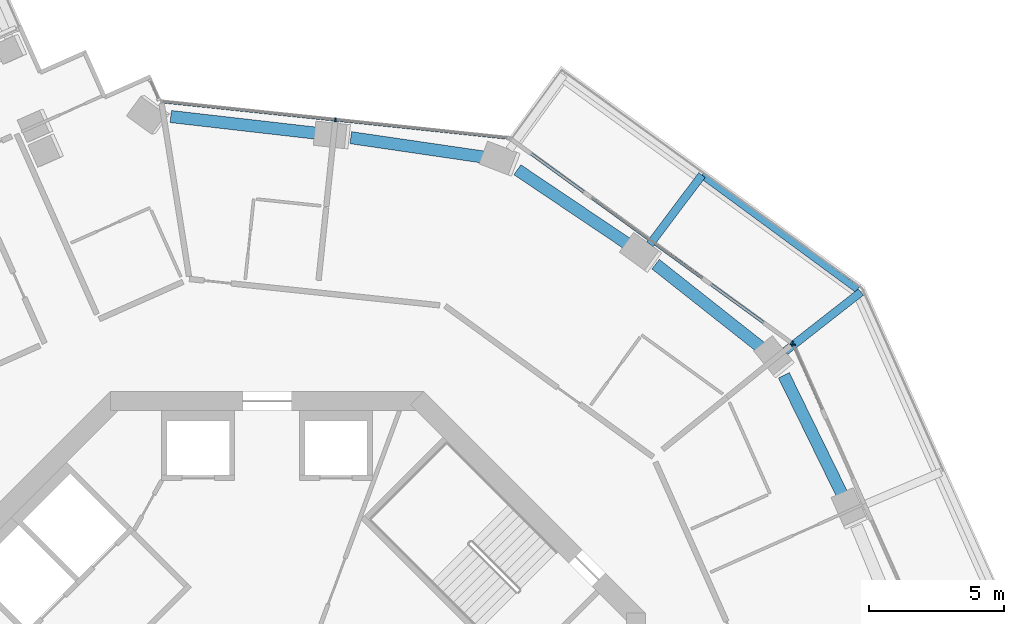
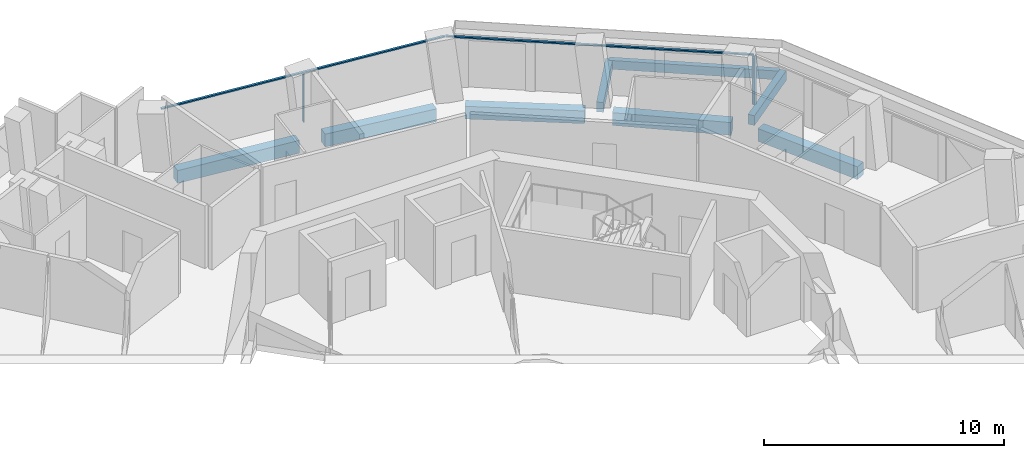
# One storey, part 8 of 23: 8 beams, 5 members, 3 elements without a shape of their own.
"""IFC4 building model written with IfcOpenShell, lengths in metres."""

from ifc_helpers import new_model, si_unit, direction, frame, origin, origin_2d, place, context, subcontext, project, spatial, rectangle, extrude, material, layer, layer_set, material_profile, profile_set, type_object, element, aggregate, save


model = new_model("IFC4")

# Units and contexts
model_context = context("Model", 3, precision=1e-05, world=origin(), true_north=direction((0.0, 1.0)))
body_context = subcontext(model_context, "Body", "Model", "MODEL_VIEW")
ifc_project = project(units=[si_unit("LENGTHUNIT", "METRE"), si_unit("AREAUNIT", "SQUARE_METRE"), si_unit("VOLUMEUNIT", "CUBIC_METRE"), si_unit("PLANEANGLEUNIT", "RADIAN"), si_unit("MASSUNIT", "GRAM", prefix="KILO")], contexts=[model_context])

# Site, building, storey
site_placement = place(None, origin())
site = spatial("IfcSite", under=ifc_project, at=site_placement, CompositionType="ELEMENT")
building_placement = place(site_placement, origin())
building = spatial("IfcBuilding", under=site, at=building_placement, Name="Verdalira Terraces Hotel", CompositionType="ELEMENT")
storey_placement = place(building_placement, frame((0.0, 0.0, 133.0)))
storey = spatial("IfcBuildingStorey", under=building, at=storey_placement, Name="L31", CompositionType="ELEMENT", Elevation=133.0)

# Beams
ifc_material_1 = material(Name="Concrete C40", Category="concrete")
ifc_material_profile_1 = material_profile(ifc_material_1, rectangle(XDim=0.300049, YDim=0.5, at=origin_2d()), Name="RC 300X500")
ifc_profile_set_1 = profile_set([ifc_material_profile_1], Name="Concrete C40")
beam_type_1 = type_object("IfcBeamType", Name="Balcony cantilever beam RC 300X500 C40", PredefinedType="BEAM", material=ifc_profile_set_1)
beam_1_placement = place(storey_placement, frame((19.171387, 15.482666, -0.560059), z_axis=(0.787568683, 0.616226881, 0.0), x_axis=(-0.616226881, 0.787568683, 0.0)))
element("IfcBeam", 1, at=beam_1_placement, inside=storey, type_object=beam_type_1, Name="Balcony cantilever beam R39-3", PredefinedType="BEAM", context=body_context, shape_type="SweptSolid", body=[
    extrude(rectangle(XDim=0.300049, YDim=0.5, at=origin_2d()), origin(), (0.0, 0.0, 1.0), 3.559326),
])
beam_2_placement = place(storey_placement, frame((14.166992, 19.44458, -0.560059), z_axis=(0.601219743, 0.799083738, 0.0), x_axis=(-0.799083738, 0.601219743, 0.0)))
element("IfcBeam", 2, at=beam_2_placement, inside=storey, type_object=beam_type_1, Name="Balcony cantilever beam R39-4", PredefinedType="BEAM", context=body_context, shape_type="SweptSolid", body=[
    extrude(rectangle(XDim=0.300049, YDim=0.5, at=origin_2d()), origin(), (0.0, 0.0, 1.0), 3.200684),
])
ifc_material_2 = material(Name="Concrete C40", Category="concrete")
ifc_material_profile_2 = material_profile(ifc_material_2, rectangle(XDim=0.25, YDim=0.449951, at=origin_2d()), Name="RC 250X450")
ifc_profile_set_2 = profile_set([ifc_material_profile_2], Name="Concrete C40")
beam_type_2 = type_object("IfcBeamType", Name="Balcony edge beam RC 250X450 C40", PredefinedType="BEAM", material=ifc_profile_set_2)
beam_3_placement = place(storey_placement, frame((21.849121, 17.768311, -0.534912), z_axis=(-0.805637586, 0.59240871, 0.0), x_axis=(-0.59240871, -0.805637586, 0.0)))
element("IfcBeam", 3, at=beam_3_placement, inside=storey, type_object=beam_type_2, Name="Balcony edge beam R39-3", PredefinedType="BEAM", context=body_context, shape_type="SweptSolid", body=[
    extrude(rectangle(XDim=0.25, YDim=0.449951, at=origin_2d()), origin(), (0.0, 0.0, 1.0), 7.146973),
])

# Curtain wall, member
ifc_material_3 = material(Name="Clear glass", Category="glass")
ifc_layer = layer(ifc_material_3, 0.14990234375)
ifc_layer_set = layer_set([ifc_layer], Name="CW1 curtain wall")
curtain_wall_type = type_object("IfcCurtainWallType", Name="CW1 curtain wall", PredefinedType="NOTDEFINED", material=ifc_layer_set)
curtain_wall_1_placement = place(storey_placement, origin())
curtain_wall_1 = element("IfcCurtainWall", 4, at=curtain_wall_1_placement, inside=storey, type_object=curtain_wall_type, Name="CW1 curtain wall L31 edge 39", PredefinedType="NOTDEFINED")
ifc_material_4 = material(Name="Terracotta frame", Category="masonry")
ifc_material_profile_3 = material_profile(ifc_material_4, rectangle(XDim=0.060059, YDim=0.149902, at=origin_2d()), Name="MU 60x150")
ifc_profile_set_3 = profile_set([ifc_material_profile_3], Name="Terracotta frame")
member_type_1 = type_object("IfcMemberType", Name="CW1 mullion 60x150", PredefinedType="MULLION", material=ifc_profile_set_3)
member_1_placement = place(storey_placement, frame((19.477295, 15.710205, 0.0), z_axis=(0.0, 0.0, 1.0), x_axis=(-0.406736643, 0.913545458, 0.0)))
member_1 = element("IfcMember", 5, at=member_1_placement, type_object=member_type_1, Name="CW1 mullion", PredefinedType="MULLION", context=body_context, shape_type="SweptSolid", body=[
    extrude(rectangle(XDim=0.060059, YDim=0.149902, at=origin_2d()), origin(), (0.0, 0.0, 1.0), 2.475098),
])
aggregate(curtain_wall_1, [member_1])

curtain_wall_2_placement = place(storey_placement, origin())
curtain_wall_2 = element("IfcCurtainWall", 6, at=curtain_wall_2_placement, inside=storey, type_object=curtain_wall_type, Name="CW1 curtain wall L31 edge 40", PredefinedType="NOTDEFINED")
member_2_placement = place(storey_placement, frame((19.416504, 15.7854, 0.0), z_axis=(0.0, 0.0, 1.0), x_axis=(-0.809016994, 0.587785252, 0.0)))
member_2 = element("IfcMember", 7, at=member_2_placement, type_object=member_type_1, Name="CW1 mullion", PredefinedType="MULLION", context=body_context, shape_type="SweptSolid", body=[
    extrude(rectangle(XDim=0.060059, YDim=0.149902, at=origin_2d()), origin(), (0.0, 0.0, 1.0), 2.475098),
])

curtain_wall_3_placement = place(storey_placement, origin())
curtain_wall_3 = element("IfcCurtainWall", 8, at=curtain_wall_3_placement, inside=storey, type_object=curtain_wall_type, Name="CW1 curtain wall L31 edge 41", PredefinedType="NOTDEFINED")
member_3_placement = place(storey_placement, frame((2.527832, 24.050781, 0.0), z_axis=(0.0, 0.0, 1.0), x_axis=(-0.994521895, 0.104528463, 0.0)))
member_3 = element("IfcMember", 9, at=member_3_placement, type_object=member_type_1, Name="CW1 mullion", PredefinedType="MULLION", context=body_context, shape_type="SweptSolid", body=[
    extrude(rectangle(XDim=0.060059, YDim=0.149902, at=origin_2d()), origin(), (0.0, 0.0, 1.0), 2.475098),
])

# Member
ifc_material_5 = material(Name="Terracotta frame", Category="masonry")
ifc_material_profile_4 = material_profile(ifc_material_5, rectangle(XDim=0.110107, YDim=0.064941, at=origin_2d()), Name="TR 65x110")
ifc_profile_set_4 = profile_set([ifc_material_profile_4], Name="Terracotta frame")
member_type_2 = type_object("IfcMemberType", Name="CW1 transom 65x110", PredefinedType="USERDEFINED", material=ifc_profile_set_4)
member_4_placement = place(storey_placement, frame((19.440674, 15.767822, 2.507568), z_axis=(-0.809014646, 0.587788484, 0.0), x_axis=(-0.587788484, -0.809014646, 0.0)))
member_4 = element("IfcMember", 10, at=member_4_placement, type_object=member_type_2, Name="CW1 transom", ObjectType="TRANSOM", PredefinedType="USERDEFINED", context=body_context, shape_type="SweptSolid", body=[
    extrude(rectangle(XDim=0.110107, YDim=0.064941, at=origin_2d()), origin(), (0.0, 0.0, 1.0), 12.919678),
])

aggregate(curtain_wall_2, [member_2, member_4])

member_5_placement = place(storey_placement, frame((8.952148, 23.375732, 2.507568), z_axis=(-0.994523193, 0.104516114, 0.0), x_axis=(-0.104516114, -0.994523193, 0.0)))
member_5 = element("IfcMember", 11, at=member_5_placement, type_object=member_type_2, Name="CW1 transom", ObjectType="TRANSOM", PredefinedType="USERDEFINED", context=body_context, shape_type="SweptSolid", body=[
    extrude(rectangle(XDim=0.110107, YDim=0.064941, at=origin_2d()), origin(), (0.0, 0.0, 1.0), 12.959717),
])

aggregate(curtain_wall_3, [member_3, member_5])

# Beams
ifc_material_6 = material(Name="Concrete C50", Category="concrete")
ifc_material_profile_5 = material_profile(ifc_material_6, rectangle(XDim=0.449951, YDim=0.649902, at=origin_2d()), Name="RC 450X650")
ifc_profile_set_5 = profile_set([ifc_material_profile_5], Name="Concrete C50")
beam_type_3 = type_object("IfcBeamType", Name="Spandrel beam RC 450X650 C50", PredefinedType="SPANDREL", material=ifc_profile_set_5)
beam_4_placement = place(storey_placement, frame((21.324463, 10.093506, -0.63501), z_axis=(-0.439501023, 0.898242089, 0.0), x_axis=(-0.898242089, -0.439501023, 0.0)))
element("IfcBeam", 12, at=beam_4_placement, inside=storey, type_object=beam_type_3, Name="Spandrel beam B19", PredefinedType="SPANDREL", context=body_context, shape_type="SweptSolid", body=[
    extrude(rectangle(XDim=0.449951, YDim=0.649902, at=origin_2d()), origin(), (0.0, 0.0, 1.0), 5.012207),
])
beam_5_placement = place(storey_placement, frame((18.311523, 15.596924, -0.63501), z_axis=(-0.784568676, 0.620041928, 0.0), x_axis=(-0.620041928, -0.784568676, 0.0)))
element("IfcBeam", 13, at=beam_5_placement, inside=storey, type_object=beam_type_3, Name="Spandrel beam B20", PredefinedType="SPANDREL", context=body_context, shape_type="SweptSolid", body=[
    extrude(rectangle(XDim=0.449951, YDim=0.649902, at=origin_2d()), origin(), (0.0, 0.0, 1.0), 5.015625),
])
beam_6_placement = place(storey_placement, frame((13.420898, 19.40332, -0.63501), z_axis=(-0.829742617, 0.558146208, 0.0), x_axis=(-0.558146208, -0.829742617, 0.0)))
element("IfcBeam", 14, at=beam_6_placement, inside=storey, type_object=beam_type_3, Name="Spandrel beam B21", PredefinedType="SPANDREL", context=body_context, shape_type="SweptSolid", body=[
    extrude(rectangle(XDim=0.449951, YDim=0.649902, at=origin_2d()), origin(), (0.0, 0.0, 1.0), 5.012207),
])
beam_7_placement = place(storey_placement, frame((8.059814, 22.663086, -0.63501), z_axis=(-0.989480786, 0.144664349, 0.0), x_axis=(-0.144664349, -0.989480786, 0.0)))
element("IfcBeam", 15, at=beam_7_placement, inside=storey, type_object=beam_type_3, Name="Spandrel beam B22", PredefinedType="SPANDREL", context=body_context, shape_type="SweptSolid", body=[
    extrude(rectangle(XDim=0.449951, YDim=0.649902, at=origin_2d()), origin(), (0.0, 0.0, 1.0), 5.015625),
])
beam_8_placement = place(storey_placement, frame((1.943115, 23.539307, -0.63501), z_axis=(-0.993495434, 0.113871961, 0.0), x_axis=(-0.113871961, -0.993495434, 0.0)))
element("IfcBeam", 16, at=beam_8_placement, inside=storey, type_object=beam_type_3, Name="Spandrel beam B23", PredefinedType="SPANDREL", context=body_context, shape_type="SweptSolid", body=[
    extrude(rectangle(XDim=0.449951, YDim=0.649902, at=origin_2d()), origin(), (0.0, 0.0, 1.0), 5.544434),
])

save(model, "model.ifc")
